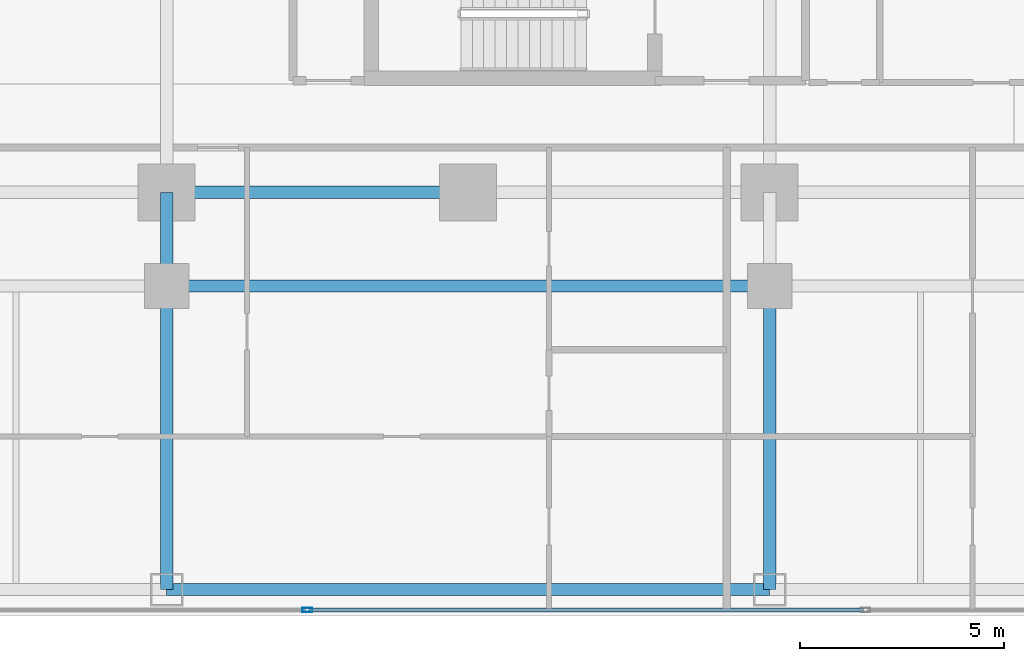
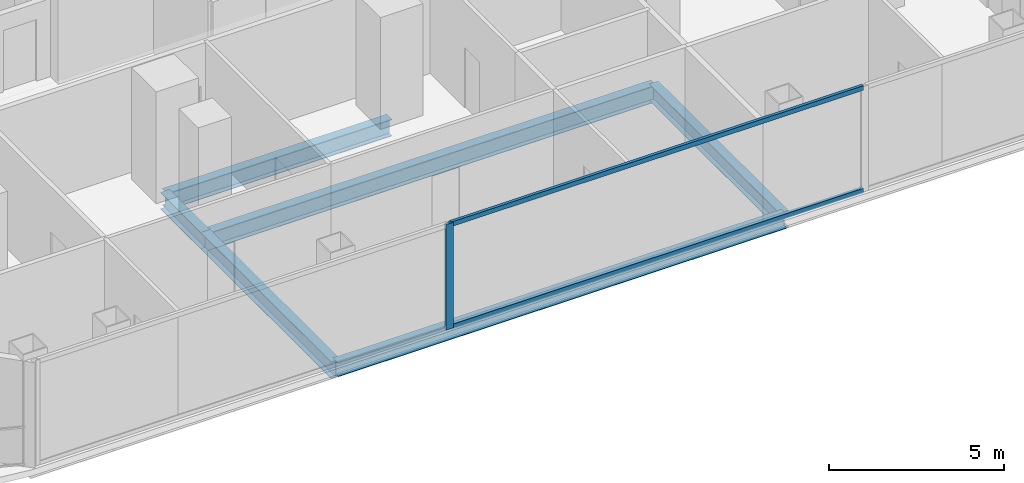
# One storey, part 4 of 27: 6 beams, 3 members, 1 element without a shape of its own.
"""IFC4 building model written with IfcOpenShell, lengths in metres."""

from ifc_helpers import new_model, si_unit, direction, frame, origin, origin_2d, place, context, subcontext, project, spatial, hollow_rectangle, i_section, extrude, material, layer, layer_set, material_profile, profile_set, type_object, element, aggregate, save


model = new_model("IFC4")

# Units and contexts
model_context = context("Model", 3, precision=1e-05, world=origin(), true_north=direction((0.0, 1.0)))
body_context = subcontext(model_context, "Body", "Model", "MODEL_VIEW")
ifc_project = project(units=[si_unit("LENGTHUNIT", "METRE"), si_unit("AREAUNIT", "SQUARE_METRE"), si_unit("VOLUMEUNIT", "CUBIC_METRE"), si_unit("PLANEANGLEUNIT", "RADIAN"), si_unit("MASSUNIT", "GRAM", prefix="KILO")], contexts=[model_context])

# Site, building, storey
site_placement = place(None, origin())
site = spatial("IfcSite", under=ifc_project, at=site_placement, CompositionType="ELEMENT")
building_placement = place(site_placement, origin())
building = spatial("IfcBuilding", under=site, at=building_placement, Name="Khorvyn Point Tower", CompositionType="ELEMENT")
storey_placement = place(building_placement, frame((0.0, 0.0, 42.300048828125)))
storey = spatial("IfcBuildingStorey", under=building, at=storey_placement, Name="L11", CompositionType="ELEMENT", Elevation=42.300048828125)

# Curtain wall, members
ifc_material_1 = material(Name="Anodised aluminium 6063-T6 and laminated Low-E glass", Category="aluminium")
ifc_layer = layer(ifc_material_1, 0.18994140625)
ifc_layer_set = layer_set([ifc_layer], Name="Stick-Built Finned Residential Curtain Wall CW-SYS-02")
curtain_wall_type = type_object("IfcCurtainWallType", Name="Stick-Built Finned Residential Curtain Wall CW-SYS-02", PredefinedType="NOTDEFINED", material=ifc_layer_set)
curtain_wall_placement = place(storey_placement, origin())
curtain_wall = element("IfcCurtainWall", 1, at=curtain_wall_placement, inside=storey, type_object=curtain_wall_type, Name="Curtain Wall", PredefinedType="NOTDEFINED")
ifc_material_2 = material(Name="Anodised aluminium 6063-T6", Category="aluminium")
ifc_material_profile_1 = material_profile(ifc_material_2, hollow_rectangle(XDim=0.10009765625, YDim=0.239990234375, WallThickness=0.0048828125, at=origin_2d()))
ifc_profile_set_1 = profile_set([ifc_material_profile_1], Name="Anodised aluminium 6063-T6 ALU-MUL-100x240")
member_type_1 = type_object("IfcMemberType", Name="Anodised Aluminium 6063-T6 Mullion ALU-MUL-100x240", PredefinedType="MULLION", material=ifc_profile_set_1)
member_1_placement = place(storey_placement, frame((-3.949951171875, -25.050048828125, 0.0), z_axis=(0.0, 0.0, 1.0), x_axis=(0.0, -1.0, 0.0)))
member_1 = element("IfcMember", 2, at=member_1_placement, type_object=member_type_1, Name="Transom", PredefinedType="MULLION", context=body_context, shape_type="SweptSolid", body=[
    extrude(hollow_rectangle(XDim=0.10009765625, YDim=0.239990234375, WallThickness=0.0048828125, at=origin_2d()), origin(), (0.0, 0.0, 1.0), 3.679931640625),
])
ifc_material_profile_2 = material_profile(ifc_material_2, hollow_rectangle(XDim=0.10009765625, YDim=0.159912109375, WallThickness=0.00439453125, at=origin_2d()))
ifc_profile_set_2 = profile_set([ifc_material_profile_2], Name="Anodised aluminium 6063-T6 ALU-TRN-100x160")
member_type_2 = type_object("IfcMemberType", Name="Anodised Aluminium 6063-T6 Transom ALU-TRN-100x160", PredefinedType="USERDEFINED", material=ifc_profile_set_2)
member_2_placement = place(storey_placement, frame((9.699951171875, -25.050048828125, 0.050048828125), z_axis=(-1.0, 0.0, 0.0), x_axis=(0.0, -1.0, 0.0)))
member_2 = element("IfcMember", 3, at=member_2_placement, type_object=member_type_2, Name="Transom", ObjectType="TRANSOM", PredefinedType="USERDEFINED", context=body_context, shape_type="SweptSolid", body=[
    extrude(hollow_rectangle(XDim=0.10009765625, YDim=0.159912109375, WallThickness=0.00439453125, at=origin_2d()), origin(), (0.0, 0.0, 1.0), 13.599853515625),
])
member_3_placement = place(storey_placement, frame((9.699951171875, -25.050048828125, 3.6298828125), z_axis=(-1.0, 0.0, 0.0), x_axis=(0.0, -1.0, 0.0)))
member_3 = element("IfcMember", 4, at=member_3_placement, type_object=member_type_2, Name="Transom", ObjectType="TRANSOM", PredefinedType="USERDEFINED", context=body_context, shape_type="SweptSolid", body=[
    extrude(hollow_rectangle(XDim=0.10009765625, YDim=0.159912109375, WallThickness=0.00439453125, at=origin_2d()), origin(), (0.0, 0.0, 1.0), 13.599853515625),
])
aggregate(curtain_wall, [member_1, member_2, member_3])

# Beams
ifc_material_3 = material(Name="Steel S355", Category="steel")
ifc_material_profile_3 = material_profile(ifc_material_3, i_section(OverallWidth=0.300048828125, OverallDepth=0.587890625, WebThickness=0.011962890625, FlangeThickness=0.02001953125, at=origin_2d()))
ifc_profile_set_3 = profile_set([ifc_material_profile_3], Name="Steel S355 H588x300x12x20")
beam_type_1 = type_object("IfcBeamType", Name="Steel S355 Beam H588x300x12x20", PredefinedType="BEAM", material=ifc_profile_set_3)
beam_1_placement = place(storey_placement, frame((-7.39990234375, -14.800048828125, -0.51416015625), z_axis=(1.0, 0.0, 0.0), x_axis=(0.0, 1.0, 0.0)))
element("IfcBeam", 5, at=beam_1_placement, inside=storey, type_object=beam_type_1, Name="Beam", PredefinedType="BEAM", context=body_context, shape_type="SweptSolid", body=[
    extrude(i_section(OverallWidth=0.300048828125, OverallDepth=0.587890625, WebThickness=0.011962890625, FlangeThickness=0.02001953125, at=origin_2d()), origin(), (0.0, 0.0, 1.0), 7.39990234375),
])
beam_2_placement = place(storey_placement, frame((-7.39990234375, -17.10009765625, -0.51416015625), z_axis=(1.0, 0.0, 0.0), x_axis=(0.0, 1.0, 0.0)))
element("IfcBeam", 6, at=beam_2_placement, inside=storey, type_object=beam_type_1, Name="Beam", PredefinedType="BEAM", context=body_context, shape_type="SweptSolid", body=[
    extrude(i_section(OverallWidth=0.300048828125, OverallDepth=0.587890625, WebThickness=0.011962890625, FlangeThickness=0.02001953125, at=origin_2d()), origin(), (0.0, 0.0, 1.0), 14.7998046875),
])
beam_3_placement = place(storey_placement, frame((-7.39990234375, -24.550048828125, -0.51416015625), z_axis=(0.0, 1.0, 0.0), x_axis=(-1.0, 0.0, 0.0)))
element("IfcBeam", 7, at=beam_3_placement, inside=storey, type_object=beam_type_1, Name="Beam", PredefinedType="BEAM", context=body_context, shape_type="SweptSolid", body=[
    extrude(i_section(OverallWidth=0.300048828125, OverallDepth=0.587890625, WebThickness=0.011962890625, FlangeThickness=0.02001953125, at=origin_2d()), origin(), (0.0, 0.0, 1.0), 7.449951171875),
])
beam_4_placement = place(storey_placement, frame((-7.39990234375, -17.10009765625, -0.51416015625), z_axis=(0.0, 1.0, 0.0), x_axis=(-1.0, 0.0, 0.0)))
element("IfcBeam", 8, at=beam_4_placement, inside=storey, type_object=beam_type_1, Name="Beam", PredefinedType="BEAM", context=body_context, shape_type="SweptSolid", body=[
    extrude(i_section(OverallWidth=0.300048828125, OverallDepth=0.587890625, WebThickness=0.011962890625, FlangeThickness=0.02001953125, at=origin_2d()), origin(), (0.0, 0.0, 1.0), 2.300048828125),
])
beam_5_placement = place(storey_placement, frame((7.39990234375, -24.550048828125, -0.51416015625), z_axis=(0.0, 1.0, 0.0), x_axis=(-1.0, 0.0, 0.0)))
element("IfcBeam", 9, at=beam_5_placement, inside=storey, type_object=beam_type_1, Name="Beam", PredefinedType="BEAM", context=body_context, shape_type="SweptSolid", body=[
    extrude(i_section(OverallWidth=0.300048828125, OverallDepth=0.587890625, WebThickness=0.011962890625, FlangeThickness=0.02001953125, at=origin_2d()), origin(), (0.0, 0.0, 1.0), 7.449951171875),
])
ifc_material_profile_4 = material_profile(ifc_material_3, i_section(OverallWidth=0.300048828125, OverallDepth=0.488037109375, WebThickness=0.010986328125, FlangeThickness=0.01806640625, at=origin_2d()))
ifc_profile_set_4 = profile_set([ifc_material_profile_4], Name="Steel S355 H488x300x11x18")
beam_type_2 = type_object("IfcBeamType", Name="Steel S355 Spandrel H488x300x11x18", PredefinedType="SPANDREL", material=ifc_profile_set_4)
beam_6_placement = place(storey_placement, frame((-7.39990234375, -24.550048828125, -0.464111328125), z_axis=(1.0, 0.0, 0.0), x_axis=(0.0, 1.0, 0.0)))
element("IfcBeam", 10, at=beam_6_placement, inside=storey, type_object=beam_type_2, Name="Beam", PredefinedType="SPANDREL", context=body_context, shape_type="SweptSolid", body=[
    extrude(i_section(OverallWidth=0.300048828125, OverallDepth=0.488037109375, WebThickness=0.010986328125, FlangeThickness=0.01806640625, at=origin_2d()), origin(), (0.0, 0.0, 1.0), 14.7998046875),
])

save(model, "model.ifc")
